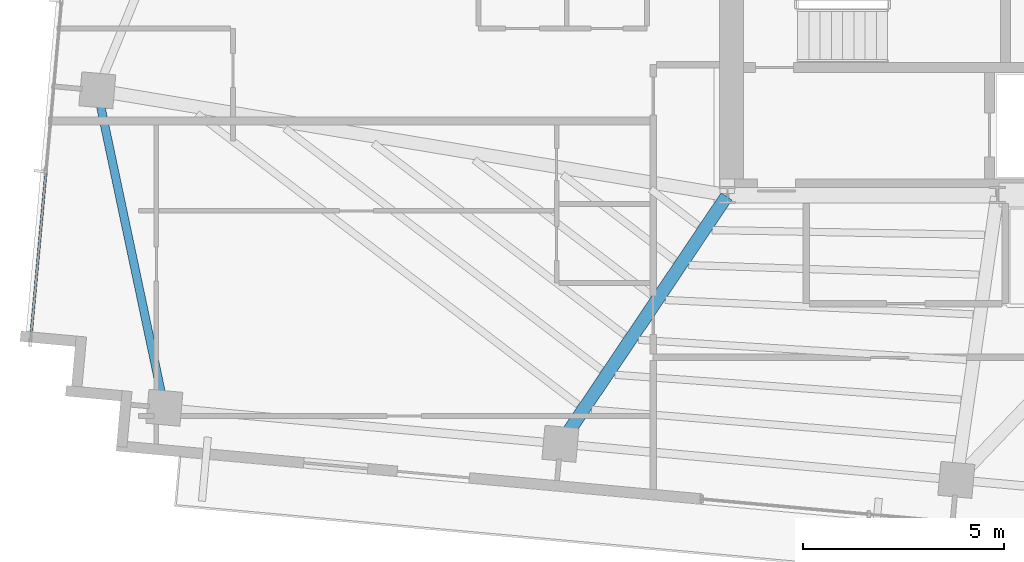
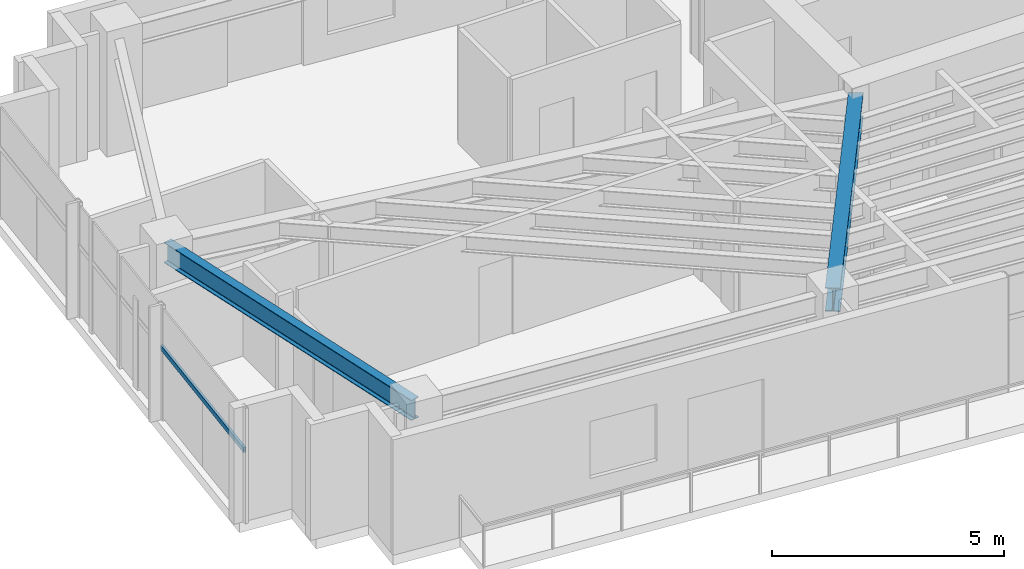
# One storey, part 3 of 22: 2 beams, 1 member, 1 element without a shape of its own.
"""IFC4 building model written with IfcOpenShell, lengths in metres."""

from ifc_helpers import new_model, si_unit, direction, frame, origin, origin_2d, place, context, subcontext, project, spatial, hollow_rectangle, i_section, extrude, source, transform, mapped, material, material_profile, profile_set, type_object, type_shapes, element, aggregate, save


model = new_model("IFC4")

# Units and contexts
model_context = context("Model", 3, precision=1e-05, world=origin(), true_north=direction((0.0, 1.0)))
body_context = subcontext(model_context, "Body", "Model", "MODEL_VIEW")
ifc_project = project(units=[si_unit("LENGTHUNIT", "METRE"), si_unit("AREAUNIT", "SQUARE_METRE"), si_unit("VOLUMEUNIT", "CUBIC_METRE"), si_unit("PLANEANGLEUNIT", "RADIAN"), si_unit("MASSUNIT", "GRAM", prefix="KILO")], contexts=[model_context])

# Site, building, storey
site_placement = place(None, origin())
site = spatial("IfcSite", under=ifc_project, at=site_placement, CompositionType="ELEMENT")
building_placement = place(site_placement, origin())
building = spatial("IfcBuilding", under=site, at=building_placement, Name="Astriad Promenade Condominiums", CompositionType="ELEMENT")
storey_placement = place(building_placement, frame((0.0, 0.0, 252.89990234375)))
storey = spatial("IfcBuildingStorey", under=building, at=storey_placement, Name="L73", CompositionType="ELEMENT", Elevation=252.89990234375)

# Beams
ifc_material_1 = material(Name="Steel ASTM A992 Grade 50", Category="steel")
ifc_material_profile_1 = material_profile(ifc_material_1, i_section(OverallWidth=0.210693359375, OverallDepth=0.53955078125, WebThickness=0.01171875, FlangeThickness=0.018798828125, FilletRadius=0.0166015625, at=origin_2d()), Name="W21X73")
ifc_profile_set_1 = profile_set([ifc_material_profile_1], Name="Steel ASTM A992 Grade 50")
beam_type_1 = type_object("IfcBeamType", Name="STEEL SPANDREL BEAM W21X73", PredefinedType="SPANDREL", material=ifc_profile_set_1)
shared_shape_1 = source(origin(), body_context, "Body", "SweptSolid", [
    extrude(i_section(OverallWidth=0.210693359375, OverallDepth=0.53955078125, WebThickness=0.01171875, FlangeThickness=0.018798828125, FilletRadius=0.0166015625, at=origin_2d()), origin(), (0.0, 0.0, 1.0), 7.99853515625),
])
type_shapes(beam_type_1, [shared_shape_1])
beam_1_placement = place(storey_placement, frame((10.719482421875, 19.97119140625, 2.7705078125), z_axis=(0.206793407277, -0.978384631271, 0.0), x_axis=(0.978384631271, 0.206793407277, 0.0)))
element("IfcBeam", 1, at=beam_1_placement, inside=storey, type_object=beam_type_1, Name="Perimeter Spandrel Beam SP-W1-L73", PredefinedType="SPANDREL", context=body_context, shape_type="MappedRepresentation", body=[
    mapped(shared_shape_1, transform((0.0, 0.0, 0.0), scale=1.0)),
])
ifc_material_profile_2 = material_profile(ifc_material_1, i_section(OverallWidth=0.326416015625, OverallDepth=0.621826171875, WebThickness=0.015380859375, FlangeThickness=0.0244140625, FilletRadius=0.017822265625, at=origin_2d()), Name="W24X131")
ifc_profile_set_2 = profile_set([ifc_material_profile_2], Name="Steel ASTM A992 Grade 50")
beam_type_2 = type_object("IfcBeamType", Name="STEEL FLOOR GIRDER W24X131", PredefinedType="BEAM", material=ifc_profile_set_2)
shared_shape_2 = source(origin(), body_context, "Body", "SweptSolid", [
    extrude(i_section(OverallWidth=0.326416015625, OverallDepth=0.621826171875, WebThickness=0.015380859375, FlangeThickness=0.0244140625, FilletRadius=0.017822265625, at=origin_2d()), origin(), (0.0, 0.0, 1.0), 7.378173828125),
])
type_shapes(beam_type_2, [shared_shape_2])
beam_2_placement = place(storey_placement, frame((22.263427734375, 11.2421875, 2.729248046875), z_axis=(0.55762901545, 0.830090284926, 0.0), x_axis=(-0.830090284926, 0.55762901545, 0.0)))
element("IfcBeam", 2, at=beam_2_placement, inside=storey, type_object=beam_type_2, Name="Primary Floor Girder PG-W2-L73", PredefinedType="BEAM", context=body_context, shape_type="MappedRepresentation", body=[
    mapped(shared_shape_2, transform((0.0, 0.0, 0.0), scale=1.0)),
])

# Curtain wall, member
ifc_material_2 = material(Name="Anodised aluminium Black Dark Glass Unitised", Category="aluminium")
curtain_wall_type = type_object("IfcCurtainWallType", Name="CW-B5-DARK", PredefinedType="USERDEFINED", material=ifc_material_2)
curtain_wall_placement = place(storey_placement, origin())
curtain_wall = element("IfcCurtainWall", 3, at=curtain_wall_placement, inside=storey, type_object=curtain_wall_type, Name="CW-L73-W", ObjectType="UNITISED_CURTAIN_WALL", PredefinedType="USERDEFINED")
ifc_material_3 = material(Name="Anodised aluminium 6063-T6 Black", Category="aluminium")
ifc_material_profile_3 = material_profile(ifc_material_3, hollow_rectangle(XDim=0.06494140625, YDim=0.1298828125, WallThickness=0.00390625, at=origin_2d()), Name="ALU-TRN-65X130")
ifc_profile_set_3 = profile_set([ifc_material_profile_3], Name="Anodised aluminium 6063-T6 Black")
member_type = type_object("IfcMemberType", Name="TRN-ALU-TRN-65X130", PredefinedType="USERDEFINED", material=ifc_profile_set_3)
shared_shape_3 = source(origin(), body_context, "Body", "SweptSolid", [
    extrude(hollow_rectangle(XDim=0.06494140625, YDim=0.1298828125, WallThickness=0.00390625, at=origin_2d()), origin(), (0.0, 0.0, 1.0), 4.2666015625),
])
type_shapes(member_type, [shared_shape_3])
member_placement = place(storey_placement, frame((9.0458984375, 13.7353515625, 1.885009765625), z_axis=(0.090638931954, 0.99588382054, 0.0), x_axis=(-0.99588382054, 0.090638931954, 0.0)))
member = element("IfcMember", 4, at=member_placement, type_object=member_type, Name="CW-L73-W-TRN-00-0", ObjectType="TRANSOM", PredefinedType="USERDEFINED", context=body_context, shape_type="MappedRepresentation", body=[
    mapped(shared_shape_3, transform((0.0, 0.0, 0.0), scale=1.0)),
])
aggregate(curtain_wall, [member])

save(model, "model.ifc")
